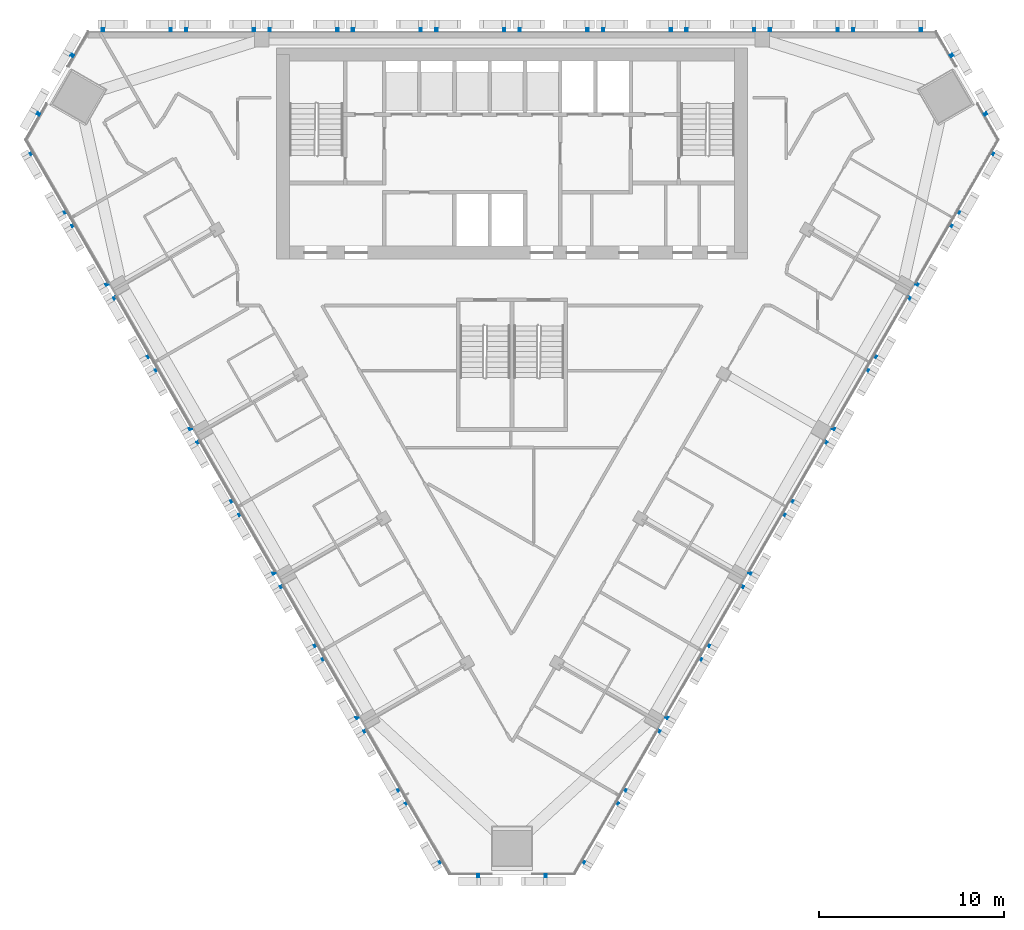
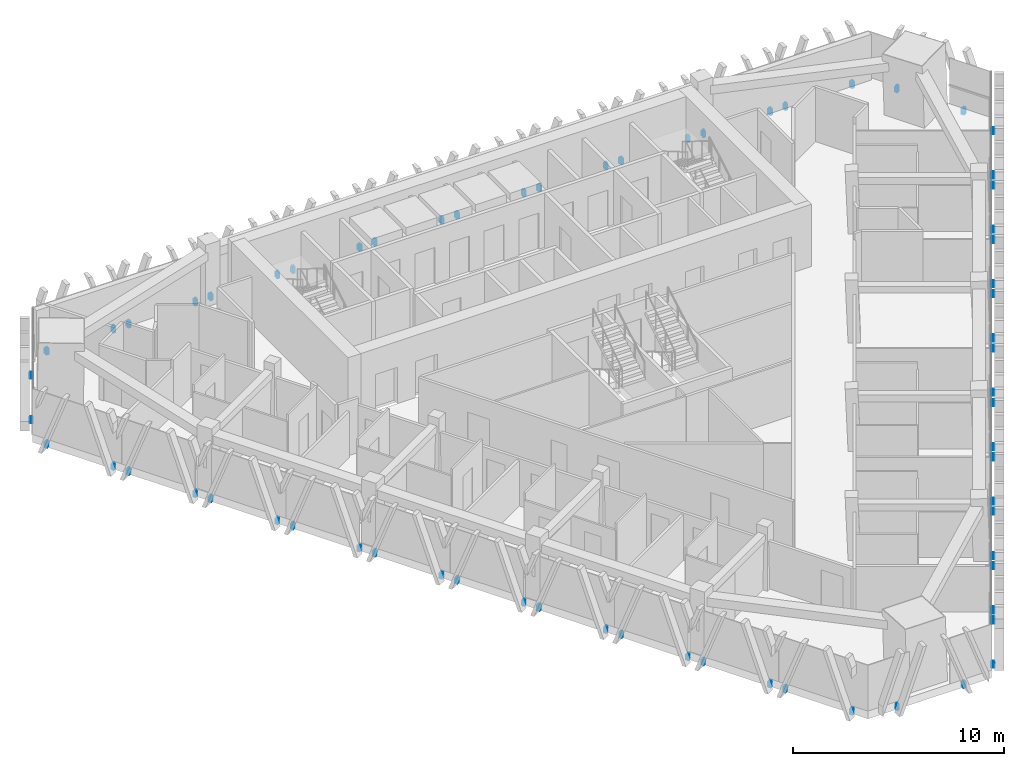
# One storey, part 13 of 16: 6 discrete accessories.
"""IFC4 building model written with IfcOpenShell, lengths in metres."""

from ifc_helpers import new_model, si_unit, direction, frame, origin, place, context, subcontext, project, spatial, polyline, outline, extrude, source, transform, mapped, material, type_object, element, save


model = new_model("IFC4")

# Units and contexts
model_context = context("Model", 3, precision=1e-05, world=origin(), true_north=direction((0.0, 1.0)))
body_context = subcontext(model_context, "Body", "Model", "MODEL_VIEW")
ifc_project = project(units=[si_unit("LENGTHUNIT", "METRE"), si_unit("AREAUNIT", "SQUARE_METRE"), si_unit("VOLUMEUNIT", "CUBIC_METRE"), si_unit("PLANEANGLEUNIT", "RADIAN"), si_unit("MASSUNIT", "GRAM", prefix="KILO")], contexts=[model_context])

# Site, building, storey
site_placement = place(None, origin())
site = spatial("IfcSite", under=ifc_project, at=site_placement, CompositionType="ELEMENT")
building_placement = place(site_placement, origin())
building = spatial("IfcBuilding", under=site, at=building_placement, Name="Altiplano Prism Tower", CompositionType="ELEMENT")
storey_placement = place(building_placement, frame((0.0, 0.0, 178.199951171875)))
storey = spatial("IfcBuildingStorey", under=building, at=storey_placement, Name="L46", CompositionType="ELEMENT", Elevation=178.199951171875)

# Discrete accessories
ifc_material = material(Name="Stainless steel", Category="steel")
discrete_accessory_type = type_object("IfcDiscreteAccessoryType", Name="Stone fin fixing prongs", PredefinedType="USERDEFINED", material=ifc_material)
shared_shape_1 = source(origin(), body_context, "Body", "SweptSolid", [
    extrude(outline(polyline([(-1.888427734375, 0.06005859375), (-1.768310546875, 0.06005859375), (-1.768310546875, 0.389892578125), (-1.888427734375, 0.389892578125), (-1.888427734375, 0.06005859375)])), frame((0.0, 0.0, 0.0), z_axis=(0.0, -1.0, 0.0), x_axis=(1.0, 0.0, 0.0)), (0.0, 0.0, 1.0), 0.14990234375),
    extrude(outline(polyline([(1.768310546875, 0.06005859375), (1.888427734375, 0.06005859375), (1.888427734375, 0.389892578125), (1.768310546875, 0.389892578125), (1.768310546875, 0.06005859375)])), frame((0.0, 0.0, 0.0), z_axis=(0.0, -1.0, 0.0), x_axis=(1.0, 0.0, 0.0)), (0.0, 0.0, 1.0), 0.14990234375),
])
shared_shape_2 = source(origin(), body_context, "Body", "SweptSolid", [
    extrude(outline(polyline([(-1.888427734375, 0.06005859375), (-1.768310546875, 0.06005859375), (-1.768310546875, 0.389892578125), (-1.888427734375, 0.389892578125), (-1.888427734375, 0.06005859375)])), frame((0.0, 0.0, 0.0), z_axis=(0.0, -1.0, 0.0), x_axis=(1.0, 0.0, 0.0)), (0.0, 0.0, 1.0), 0.14990234375),
    extrude(outline(polyline([(1.768310546875, 0.06005859375), (1.888427734375, 0.06005859375), (1.888427734375, 0.389892578125), (1.768310546875, 0.389892578125), (1.768310546875, 0.06005859375)])), frame((0.0, 0.0, 0.0), z_axis=(0.0, -1.0, 0.0), x_axis=(1.0, 0.0, 0.0)), (0.0, 0.0, 1.0), 0.14990234375),
])
discrete_accessory_1_placement = place(storey_placement, origin())
element("IfcDiscreteAccessory", 1, at=discrete_accessory_1_placement, inside=storey, type_object=discrete_accessory_type, Name="Fin fixings L46 north face", ObjectType="BRACKET", PredefinedType="USERDEFINED", context=body_context, shape_type="MappedRepresentation", body=[
    mapped(shared_shape_1, transform((105.243408203125, 105.0, -0.449951171875), x_axis=(-1.0, 0.0, 0.0), y_axis=(0.0, -1.0, 0.0), z_axis=(0.0, 0.0, 1.0))),
    mapped(shared_shape_2, transform((100.75, 105.0, -0.449951171875), x_axis=(-1.0, 0.0, 0.0), y_axis=(0.0, -1.0, 0.0), z_axis=(0.0, 0.0, 1.0))),
    mapped(shared_shape_2, transform((96.25, 105.0, -0.449951171875), x_axis=(-1.0, 0.0, 0.0), y_axis=(0.0, -1.0, 0.0), z_axis=(0.0, 0.0, 1.0))),
    mapped(shared_shape_2, transform((91.75, 105.0, -0.449951171875), x_axis=(-1.0, 0.0, 0.0), y_axis=(0.0, -1.0, 0.0), z_axis=(0.0, 0.0, 1.0))),
    mapped(shared_shape_2, transform((87.25, 105.0, -0.449951171875), x_axis=(-1.0, 0.0, 0.0), y_axis=(0.0, -1.0, 0.0), z_axis=(0.0, 0.0, 1.0))),
    mapped(shared_shape_2, transform((82.75, 105.0, -0.449951171875), x_axis=(-1.0, 0.0, 0.0), y_axis=(0.0, -1.0, 0.0), z_axis=(0.0, 0.0, 1.0))),
    mapped(shared_shape_2, transform((78.25, 105.0, -0.449951171875), x_axis=(-1.0, 0.0, 0.0), y_axis=(0.0, -1.0, 0.0), z_axis=(0.0, 0.0, 1.0))),
    mapped(shared_shape_2, transform((73.75, 105.0, -0.449951171875), x_axis=(-1.0, 0.0, 0.0), y_axis=(0.0, -1.0, 0.0), z_axis=(0.0, 0.0, 1.0))),
    mapped(shared_shape_2, transform((69.25, 105.0, -0.449951171875), x_axis=(-1.0, 0.0, 0.0), y_axis=(0.0, -1.0, 0.0), z_axis=(0.0, 0.0, 1.0))),
    mapped(shared_shape_1, transform((64.756591796875, 105.0, -0.449951171875), x_axis=(-1.0, 0.0, 0.0), y_axis=(0.0, -1.0, 0.0), z_axis=(0.0, 0.0, 1.0))),
])
discrete_accessory_2_placement = place(storey_placement, origin())
element("IfcDiscreteAccessory", 2, at=discrete_accessory_2_placement, inside=storey, type_object=discrete_accessory_type, Name="Fin fixings L46 south-west face", ObjectType="BRACKET", PredefinedType="USERDEFINED", context=body_context, shape_type="MappedRepresentation", body=[
    mapped(shared_shape_1, transform((60.05126953125, 96.85009765625, -0.449951171875), x_axis=(0.499999996041, -0.86602540607, 0.0), y_axis=(0.86602540607, 0.499999996041, 0.0), z_axis=(0.0, 0.0, 1.0))),
    mapped(shared_shape_2, transform((62.298095703125, 92.958740234375, -0.449951171875), x_axis=(0.499999996041, -0.86602540607, 0.0), y_axis=(0.86602540607, 0.499999996041, 0.0), z_axis=(0.0, 0.0, 1.0))),
    mapped(shared_shape_2, transform((64.548095703125, 89.061767578125, -0.449951171875), x_axis=(0.499999996041, -0.86602540607, 0.0), y_axis=(0.86602540607, 0.499999996041, 0.0), z_axis=(0.0, 0.0, 1.0))),
    mapped(shared_shape_2, transform((66.798095703125, 85.16455078125, -0.449951171875), x_axis=(0.499999996041, -0.86602540607, 0.0), y_axis=(0.86602540607, 0.499999996041, 0.0), z_axis=(0.0, 0.0, 1.0))),
    mapped(shared_shape_2, transform((69.048095703125, 81.267578125, -0.449951171875), x_axis=(0.499999996041, -0.86602540607, 0.0), y_axis=(0.86602540607, 0.499999996041, 0.0), z_axis=(0.0, 0.0, 1.0))),
    mapped(shared_shape_2, transform((71.298095703125, 77.370361328125, -0.449951171875), x_axis=(0.499999996041, -0.86602540607, 0.0), y_axis=(0.86602540607, 0.499999996041, 0.0), z_axis=(0.0, 0.0, 1.0))),
    mapped(shared_shape_2, transform((73.548095703125, 73.47314453125, -0.449951171875), x_axis=(0.499999996041, -0.86602540607, 0.0), y_axis=(0.86602540607, 0.499999996041, 0.0), z_axis=(0.0, 0.0, 1.0))),
    mapped(shared_shape_2, transform((75.798095703125, 69.576171875, -0.449951171875), x_axis=(0.499999996041, -0.86602540607, 0.0), y_axis=(0.86602540607, 0.499999996041, 0.0), z_axis=(0.0, 0.0, 1.0))),
    mapped(shared_shape_2, transform((78.048095703125, 65.678955078125, -0.449951171875), x_axis=(0.499999996041, -0.86602540607, 0.0), y_axis=(0.86602540607, 0.499999996041, 0.0), z_axis=(0.0, 0.0, 1.0))),
    mapped(shared_shape_1, transform((80.294677734375, 61.78759765625, -0.449951171875), x_axis=(0.499999996041, -0.86602540607, 0.0), y_axis=(0.86602540607, 0.499999996041, 0.0), z_axis=(0.0, 0.0, 1.0))),
])
discrete_accessory_3_placement = place(storey_placement, origin())
element("IfcDiscreteAccessory", 3, at=discrete_accessory_3_placement, inside=storey, type_object=discrete_accessory_type, Name="Fin fixings L46 south-east face", ObjectType="BRACKET", PredefinedType="USERDEFINED", context=body_context, shape_type="MappedRepresentation", body=[
    mapped(shared_shape_1, transform((89.705322265625, 61.78759765625, -0.449951171875), x_axis=(0.499999996041, 0.86602540607, 0.0), y_axis=(-0.86602540607, 0.499999996041, 0.0), z_axis=(0.0, 0.0, 1.0))),
    mapped(shared_shape_2, transform((91.951904296875, 65.678955078125, -0.449951171875), x_axis=(0.499999996041, 0.86602540607, 0.0), y_axis=(-0.86602540607, 0.499999996041, 0.0), z_axis=(0.0, 0.0, 1.0))),
    mapped(shared_shape_2, transform((94.201904296875, 69.576171875, -0.449951171875), x_axis=(0.499999996041, 0.86602540607, 0.0), y_axis=(-0.86602540607, 0.499999996041, 0.0), z_axis=(0.0, 0.0, 1.0))),
    mapped(shared_shape_2, transform((96.451904296875, 73.47314453125, -0.449951171875), x_axis=(0.499999996041, 0.86602540607, 0.0), y_axis=(-0.86602540607, 0.499999996041, 0.0), z_axis=(0.0, 0.0, 1.0))),
    mapped(shared_shape_2, transform((98.701904296875, 77.370361328125, -0.449951171875), x_axis=(0.499999996041, 0.86602540607, 0.0), y_axis=(-0.86602540607, 0.499999996041, 0.0), z_axis=(0.0, 0.0, 1.0))),
    mapped(shared_shape_2, transform((100.951904296875, 81.267578125, -0.449951171875), x_axis=(0.499999996041, 0.86602540607, 0.0), y_axis=(-0.86602540607, 0.499999996041, 0.0), z_axis=(0.0, 0.0, 1.0))),
    mapped(shared_shape_2, transform((103.201904296875, 85.16455078125, -0.449951171875), x_axis=(0.499999996041, 0.86602540607, 0.0), y_axis=(-0.86602540607, 0.499999996041, 0.0), z_axis=(0.0, 0.0, 1.0))),
    mapped(shared_shape_2, transform((105.451904296875, 89.061767578125, -0.449951171875), x_axis=(0.499999996041, 0.86602540607, 0.0), y_axis=(-0.86602540607, 0.499999996041, 0.0), z_axis=(0.0, 0.0, 1.0))),
    mapped(shared_shape_2, transform((107.701904296875, 92.958740234375, -0.449951171875), x_axis=(0.499999996041, 0.86602540607, 0.0), y_axis=(-0.86602540607, 0.499999996041, 0.0), z_axis=(0.0, 0.0, 1.0))),
    mapped(shared_shape_1, transform((109.94873046875, 96.85009765625, -0.449951171875), x_axis=(0.499999996041, 0.86602540607, 0.0), y_axis=(-0.86602540607, 0.499999996041, 0.0), z_axis=(0.0, 0.0, 1.0))),
])
shared_shape_3 = source(origin(), body_context, "Body", "SweptSolid", [
    extrude(outline(polyline([(-1.888427734375, 0.06005859375), (-1.768310546875, 0.06005859375), (-1.768310546875, 0.389892578125), (-1.888427734375, 0.389892578125), (-1.888427734375, 0.06005859375)])), frame((0.0, 0.0, 0.0), z_axis=(0.0, -1.0, 0.0), x_axis=(1.0, 0.0, 0.0)), (0.0, 0.0, 1.0), 0.14990234375),
    extrude(outline(polyline([(1.768310546875, 0.06005859375), (1.888427734375, 0.06005859375), (1.888427734375, 0.389892578125), (1.768310546875, 0.389892578125), (1.768310546875, 0.06005859375)])), frame((0.0, 0.0, 0.0), z_axis=(0.0, -1.0, 0.0), x_axis=(1.0, 0.0, 0.0)), (0.0, 0.0, 1.0), 0.14990234375),
])
discrete_accessory_4_placement = place(storey_placement, origin())
element("IfcDiscreteAccessory", 4, at=discrete_accessory_4_placement, inside=storey, type_object=discrete_accessory_type, Name="Fin fixings L46 north-west chamfer", ObjectType="BRACKET", PredefinedType="USERDEFINED", context=body_context, shape_type="MappedRepresentation", body=[
    mapped(shared_shape_3, transform((60.42138671875, 102.069580078125, -0.449951171875), x_axis=(-0.500000022036, -0.866025391062, 0.0), y_axis=(0.866025391062, -0.500000022036, 0.0), z_axis=(0.0, 0.0, 1.0))),
])
discrete_accessory_5_placement = place(storey_placement, origin())
element("IfcDiscreteAccessory", 5, at=discrete_accessory_5_placement, inside=storey, type_object=discrete_accessory_type, Name="Fin fixings L46 south chamfer", ObjectType="BRACKET", PredefinedType="USERDEFINED", context=body_context, shape_type="MappedRepresentation", body=[
    mapped(shared_shape_3, transform((85.0, 59.49853515625, -0.449951171875), x_axis=(1.0, 0.0, 0.0), y_axis=(0.0, 1.0, 0.0), z_axis=(0.0, 0.0, 1.0))),
])
discrete_accessory_6_placement = place(storey_placement, origin())
element("IfcDiscreteAccessory", 6, at=discrete_accessory_6_placement, inside=storey, type_object=discrete_accessory_type, Name="Fin fixings L46 north-east chamfer", ObjectType="BRACKET", PredefinedType="USERDEFINED", context=body_context, shape_type="MappedRepresentation", body=[
    mapped(shared_shape_3, transform((109.57861328125, 102.069580078125, -0.449951171875), x_axis=(-0.500000022036, 0.866025391062, 0.0), y_axis=(-0.866025391062, -0.500000022036, 0.0), z_axis=(0.0, 0.0, 1.0))),
])

save(model, "model.ifc")
